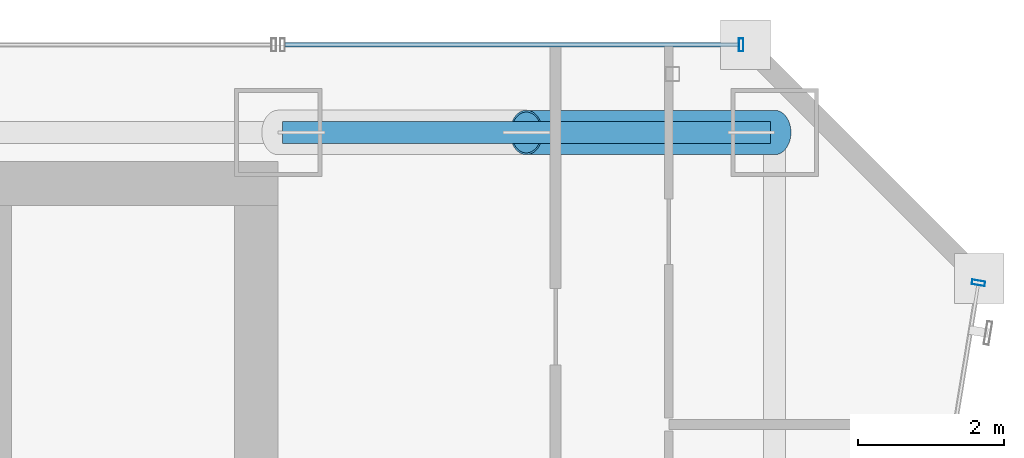
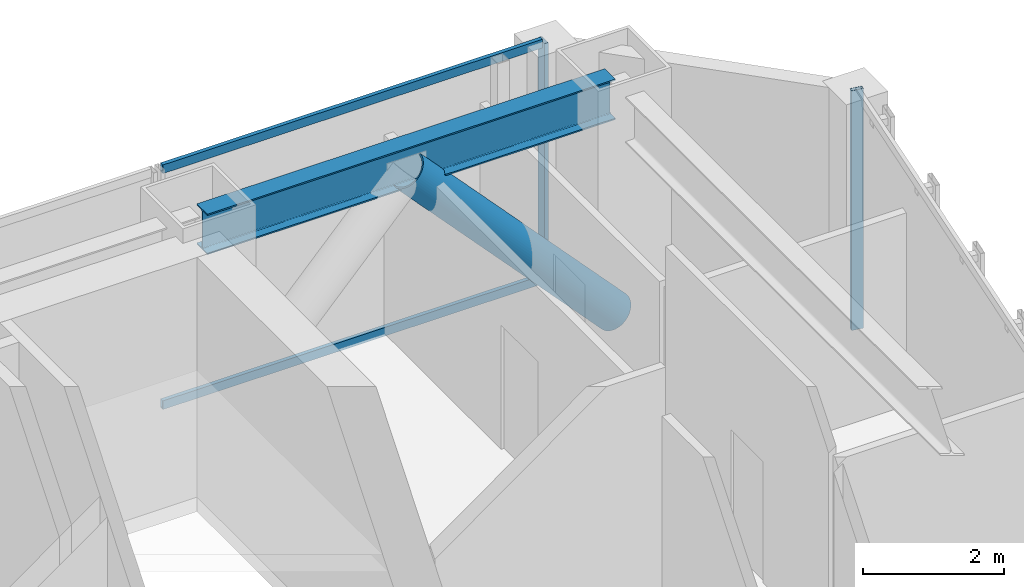
# One storey, part 33 of 47: 5 members, 1 beam, 2 elements without a shape of their own.
"""IFC4 building model written with IfcOpenShell, lengths in metres."""

from ifc_helpers import new_model, si_unit, direction, frame, origin, origin_2d, place, context, subcontext, project, spatial, hollow_rectangle, hollow_circle, i_section, extrude, material, material_profile, profile_set, type_object, element, aggregate, save


model = new_model("IFC4")

# Units and contexts
model_context = context("Model", 3, precision=1e-05, world=origin(), true_north=direction((0.0, 1.0)))
body_context = subcontext(model_context, "Body", "Model", "MODEL_VIEW")
ifc_project = project(units=[si_unit("LENGTHUNIT", "METRE"), si_unit("AREAUNIT", "SQUARE_METRE"), si_unit("VOLUMEUNIT", "CUBIC_METRE"), si_unit("PLANEANGLEUNIT", "RADIAN"), si_unit("MASSUNIT", "GRAM", prefix="KILO")], contexts=[model_context])

# Site, building, storey
site_placement = place(None, origin())
site = spatial("IfcSite", under=ifc_project, at=site_placement, CompositionType="ELEMENT")
building_placement = place(site_placement, origin())
building = spatial("IfcBuilding", under=site, at=building_placement, Name="Saevonmaru Cultural Tower", CompositionType="ELEMENT")
storey_placement = place(building_placement, frame((0.0, 0.0, 60.39990234375)))
storey = spatial("IfcBuildingStorey", under=building, at=storey_placement, Name="L12", CompositionType="ELEMENT", Elevation=60.39990234375)

# Beam
ifc_material_1 = material(Name="Steel SM355", Category="steel")
ifc_material_profile_1 = material_profile(ifc_material_1, i_section(OverallWidth=0.300048828125, OverallDepth=0.699951171875, WebThickness=0.012939453125, FlangeThickness=0.02392578125, FilletRadius=0.02587890625, at=origin_2d()), Name="H-700x300x13x24")
ifc_profile_set_1 = profile_set([ifc_material_profile_1], Name="Steel SM355")
beam_type = type_object("IfcBeamType", Name="BM-SP-H700", PredefinedType="SPANDREL", material=ifc_profile_set_1)
beam_placement = place(storey_placement, frame((46.4599609375, 54.800048828125, 3.800048828125), z_axis=(1.0, 0.0, 0.0), x_axis=(0.0, 1.0, 0.0)))
element("IfcBeam", 1, at=beam_placement, inside=storey, type_object=beam_type, Name="L12 North Spine Girder 5", PredefinedType="SPANDREL", context=body_context, shape_type="SweptSolid", body=[
    extrude(i_section(OverallWidth=0.300048828125, OverallDepth=0.699951171875, WebThickness=0.012939453125, FlangeThickness=0.02392578125, FilletRadius=0.02587890625, at=origin_2d()), origin(), (0.0, 0.0, 1.0), 6.679931640625),
])

# Member
ifc_material_2 = material(Name="Steel HSA600 (600 MPa)", Category="steel")
ifc_material_profile_2 = material_profile(ifc_material_2, hollow_circle(Radius=0.3046875, WallThickness=0.02490234375, at=origin_2d()), Name="CHS-609.6x25")
ifc_profile_set_2 = profile_set([ifc_material_profile_2], Name="Steel HSA600 (600 MPa)")
member_type_1 = type_object("IfcMemberType", Name="MB-PBR-CHS610", PredefinedType="BRACE", material=ifc_profile_set_2)
member_1_placement = place(storey_placement, frame((53.199951171875, 54.800048828125, 0.02001953125), z_axis=(-0.681578526789, 0.0, 0.731744977311), x_axis=(0.0, -1.0, 0.0)))
element("IfcMember", 2, at=member_1_placement, inside=storey, type_object=member_type_1, Name="L12 Perimeter Braced-Tube Diagonal EN2", PredefinedType="BRACE", context=body_context, shape_type="SweptSolid", body=[
    extrude(hollow_circle(Radius=0.3046875, WallThickness=0.02490234375, at=origin_2d()), origin(), (0.0, 0.0, 1.0), 4.98828125),
])

# Curtain wall, member
ifc_material_3 = material(Name="Satin Bronze Anodised Aluminium", Category="aluminium")
curtain_wall_type = type_object("IfcCurtainWallType", Name="CW-TYP-A", PredefinedType="NOTDEFINED", material=ifc_material_3)
curtain_wall_1_placement = place(storey_placement, origin())
curtain_wall_1 = element("IfcCurtainWall", 3, at=curtain_wall_1_placement, inside=storey, type_object=curtain_wall_type, Name="L12 Unitised Curtain Wall E8", PredefinedType="NOTDEFINED")
ifc_material_profile_3 = material_profile(ifc_material_3, hollow_rectangle(XDim=0.06494140625, YDim=0.179931640625, WallThickness=0.00390625, at=origin_2d()), Name="ALU-MULL-180x65x4")
ifc_profile_set_3 = profile_set([ifc_material_profile_3], Name="Satin Bronze Anodised Aluminium")
member_type_2 = type_object("IfcMemberType", Name="ML-CW-180x65", PredefinedType="MULLION", material=ifc_profile_set_3)
member_2_placement = place(storey_placement, frame((55.990234375, 52.74072265625, 0.0), z_axis=(0.0, 0.0, 1.0), x_axis=(0.161708868641, 0.986838508472, 0.0)))
member_2 = element("IfcMember", 4, at=member_2_placement, type_object=member_type_2, Name="CW-TW-L12-E8 mullion 5", PredefinedType="MULLION", context=body_context, shape_type="SweptSolid", body=[
    extrude(hollow_rectangle(XDim=0.06494140625, YDim=0.179931640625, WallThickness=0.00390625, at=origin_2d()), origin(), (0.0, 0.0, 1.0), 4.150146484375),
])
aggregate(curtain_wall_1, [member_2])

# Curtain wall, members
curtain_wall_2_placement = place(storey_placement, origin())
curtain_wall_2 = element("IfcCurtainWall", 5, at=curtain_wall_2_placement, inside=storey, type_object=curtain_wall_type, Name="L12 East Braced Bay Spandrel Curtain Wall E10A", PredefinedType="NOTDEFINED")
member_3_placement = place(storey_placement, frame((52.739990234375, 56.0, 0.0), z_axis=(0.0, 0.0, 1.0), x_axis=(-1.0, 0.0, 0.0)))
member_3 = element("IfcMember", 6, at=member_3_placement, type_object=member_type_2, Name="CW-TW-L12-E10A mullion 1", PredefinedType="MULLION", context=body_context, shape_type="SweptSolid", body=[
    extrude(hollow_rectangle(XDim=0.06494140625, YDim=0.179931640625, WallThickness=0.00390625, at=origin_2d()), origin(), (0.0, 0.0, 1.0), 4.150146484375),
])
ifc_material_profile_4 = material_profile(ifc_material_3, hollow_rectangle(XDim=0.06494140625, YDim=0.14990234375, WallThickness=0.00390625, at=origin_2d()), Name="ALU-TRAN-150x65x4")
ifc_profile_set_4 = profile_set([ifc_material_profile_4], Name="Satin Bronze Anodised Aluminium")
member_type_3 = type_object("IfcMemberType", Name="TR-CW-150x65", PredefinedType="USERDEFINED", material=ifc_profile_set_4)
member_4_placement = place(storey_placement, frame((52.70751953125, 56.0, 0.03271484375), z_axis=(-1.0, 0.0, 0.0), x_axis=(0.0, -1.0, 0.0)))
member_4 = element("IfcMember", 7, at=member_4_placement, type_object=member_type_3, Name="CW-TW-L12-E10A transom 1.1", ObjectType="TRANSOM", PredefinedType="USERDEFINED", context=body_context, shape_type="SweptSolid", body=[
    extrude(hollow_rectangle(XDim=0.06494140625, YDim=0.14990234375, WallThickness=0.00390625, at=origin_2d()), origin(), (0.0, 0.0, 1.0), 6.215087890625),
])
member_5_placement = place(storey_placement, frame((52.70751953125, 56.0, 4.11767578125), z_axis=(-1.0, 0.0, 0.0), x_axis=(0.0, -1.0, 0.0)))
member_5 = element("IfcMember", 8, at=member_5_placement, type_object=member_type_3, Name="CW-TW-L12-E10A transom 1.2", ObjectType="TRANSOM", PredefinedType="USERDEFINED", context=body_context, shape_type="SweptSolid", body=[
    extrude(hollow_rectangle(XDim=0.06494140625, YDim=0.14990234375, WallThickness=0.00390625, at=origin_2d()), origin(), (0.0, 0.0, 1.0), 6.215087890625),
])
aggregate(curtain_wall_2, [member_3, member_4, member_5])

save(model, "model.ifc")
